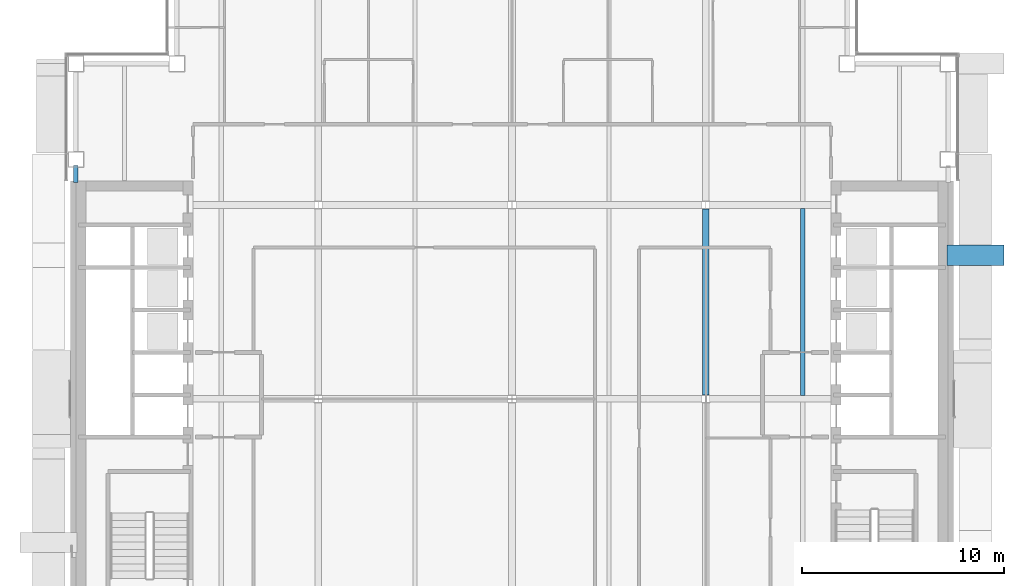
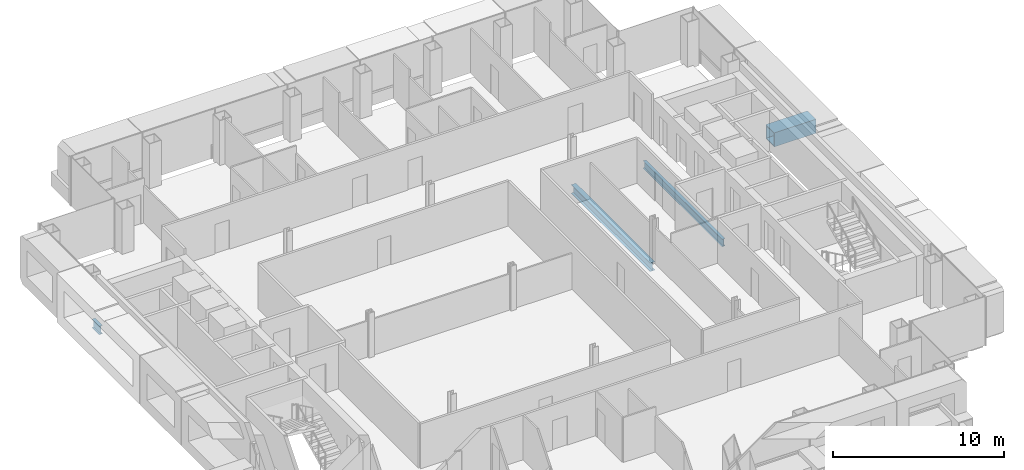
# One storey, part 7 of 21: 4 beams.
"""IFC4 building model written with IfcOpenShell, lengths in metres."""

from ifc_helpers import new_model, si_unit, direction, frame, origin, origin_2d, place, context, subcontext, project, spatial, hollow_rectangle, i_section, extrude, material, material_profile, profile_set, type_object, element, save


model = new_model("IFC4")

# Units and contexts
model_context = context("Model", 3, precision=1e-05, world=origin(), true_north=direction((0.0, 1.0)))
body_context = subcontext(model_context, "Body", "Model", "MODEL_VIEW")
ifc_project = project(units=[si_unit("LENGTHUNIT", "METRE"), si_unit("AREAUNIT", "SQUARE_METRE"), si_unit("VOLUMEUNIT", "CUBIC_METRE"), si_unit("PLANEANGLEUNIT", "RADIAN"), si_unit("MASSUNIT", "GRAM", prefix="KILO")], contexts=[model_context])

# Site, building, storey
site_placement = place(None, origin())
site = spatial("IfcSite", under=ifc_project, at=site_placement, CompositionType="ELEMENT")
building_placement = place(site_placement, origin())
building = spatial("IfcBuilding", under=site, at=building_placement, Name="Cobrizo Arcos Hotel Tower", CompositionType="ELEMENT")
storey_placement = place(building_placement, frame((0.0, 0.0, 183.0)))
storey = spatial("IfcBuildingStorey", under=building, at=storey_placement, Name="L47", CompositionType="ELEMENT", Elevation=183.0)

# Beams
ifc_material_1 = material(Name="Steel ASTM A572 Grade 50", Category="steel")
ifc_material_profile_1 = material_profile(ifc_material_1, hollow_rectangle(XDim=1.0, YDim=1.0, WallThickness=0.06005859375, at=origin_2d()), Name="BOX 1000X1000X60")
ifc_profile_set_1 = profile_set([ifc_material_profile_1], Name="Steel ASTM A572 Grade 50")
beam_type_1 = type_object("IfcBeamType", Name="BOX 1000X1000X60 brace connector strut", PredefinedType="BEAM", material=ifc_profile_set_1)
beam_1_placement = place(storey_placement, frame((21.550048828125, 7.1142578125, 0.5), z_axis=(1.0, 0.0, 0.0), x_axis=(0.0, 1.0, 0.0)))
element("IfcBeam", 1, at=beam_1_placement, inside=storey, type_object=beam_type_1, Name="Perimeter brace stub BS1, zone Z3, east face, offset +7.11 m, L47", PredefinedType="BEAM", context=body_context, shape_type="SweptSolid", body=[
    extrude(hollow_rectangle(XDim=1.0, YDim=1.0, WallThickness=0.06005859375, at=origin_2d()), origin(), (0.0, 0.0, 1.0), 2.820068359375),
])
ifc_material_2 = material(Name="Steel ASTM A992 Grade 50", Category="steel")
ifc_material_profile_2 = material_profile(ifc_material_2, i_section(OverallWidth=0.209228515625, OverallDepth=0.533447265625, WebThickness=0.01025390625, FlangeThickness=0.015625, at=origin_2d()), Name="W21X62")
ifc_profile_set_2 = profile_set([ifc_material_profile_2], Name="Steel ASTM A992 Grade 50")
beam_type_2 = type_object("IfcBeamType", Name="W21X62 joist", PredefinedType="JOIST", material=ifc_profile_set_2)
beam_2_placement = place(storey_placement, frame((14.39990234375, 0.163818359375, -0.416748046875), z_axis=(0.0, 1.0, 0.0), x_axis=(-1.0, 0.0, 0.0)))
element("IfcBeam", 2, at=beam_2_placement, inside=storey, type_object=beam_type_2, Name="Floor joist J1, L47, no. 017", PredefinedType="JOIST", context=body_context, shape_type="SweptSolid", body=[
    extrude(i_section(OverallWidth=0.209228515625, OverallDepth=0.533447265625, WebThickness=0.01025390625, FlangeThickness=0.015625, at=origin_2d()), origin(), (0.0, 0.0, 1.0), 9.272216796875),
])
ifc_material_profile_3 = material_profile(ifc_material_2, i_section(OverallWidth=0.32763671875, OverallDepth=0.622314453125, WebThickness=0.015380859375, FlangeThickness=0.0244140625, at=origin_2d()), Name="W24X131")
ifc_profile_set_3 = profile_set([ifc_material_profile_3], Name="Steel ASTM A992 Grade 50")
beam_type_3 = type_object("IfcBeamType", Name="W24X131 girder", PredefinedType="BEAM", material=ifc_profile_set_3)
beam_3_placement = place(storey_placement, frame((9.60009765625, 0.186767578125, -0.461181640625), z_axis=(0.0, 1.0, 0.0), x_axis=(-1.0, 0.0, 0.0)))
element("IfcBeam", 3, at=beam_3_placement, inside=storey, type_object=beam_type_3, Name="Floor girder G1, L47, no. 023", PredefinedType="BEAM", context=body_context, shape_type="SweptSolid", body=[
    extrude(i_section(OverallWidth=0.32763671875, OverallDepth=0.622314453125, WebThickness=0.015380859375, FlangeThickness=0.0244140625, at=origin_2d()), origin(), (0.0, 0.0, 1.0), 9.2265625),
])
ifc_material_profile_4 = material_profile(ifc_material_2, i_section(OverallWidth=0.228271484375, OverallDepth=0.607177734375, WebThickness=0.01123046875, FlangeThickness=0.017333984375, at=origin_2d()), Name="W24X76")
ifc_profile_set_4 = profile_set([ifc_material_profile_4], Name="Steel ASTM A992 Grade 50")
beam_type_4 = type_object("IfcBeamType", Name="W24X76 spandrel", PredefinedType="SPANDREL", material=ifc_profile_set_4)
beam_4_placement = place(storey_placement, frame((-21.60009765625, 11.556884765625, -0.45361328125), z_axis=(0.0, -1.0, 0.0), x_axis=(1.0, 0.0, 0.0)))
element("IfcBeam", 4, at=beam_4_placement, inside=storey, type_object=beam_type_4, Name="Spandrel beam W24X76, L47, no. 026", PredefinedType="SPANDREL", context=body_context, shape_type="SweptSolid", body=[
    extrude(i_section(OverallWidth=0.228271484375, OverallDepth=0.607177734375, WebThickness=0.01123046875, FlangeThickness=0.017333984375, at=origin_2d()), origin(), (0.0, 0.0, 1.0), 0.846923828125),
])

save(model, "model.ifc")
